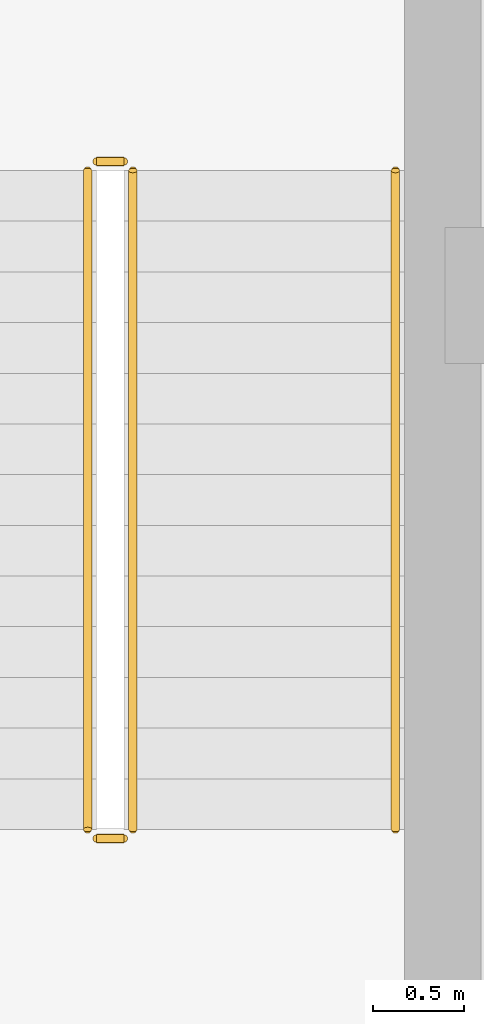
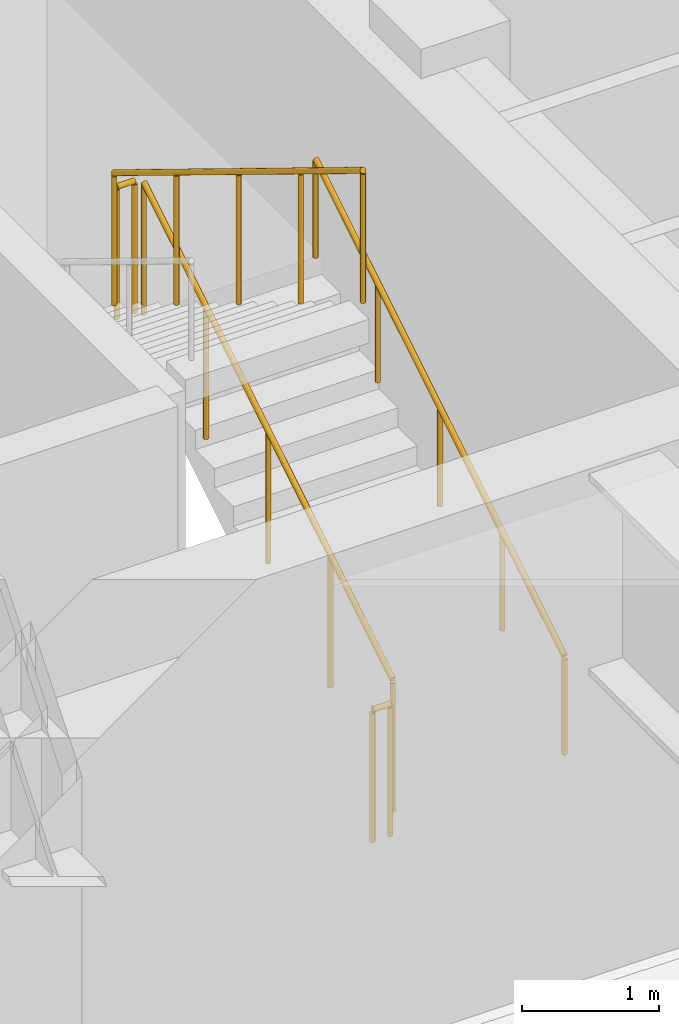
# One storey, part 28 of 31: 5 railings.
"""IFC4 building model written with IfcOpenShell, lengths in metres."""

import ifcopenshell
import ifcopenshell.guid

model = None  # the IFC model being written
_history = None  # IfcOwnerHistory: only IFC2X3 demands one
_inside = {}  # id of a spatial element -> (the spatial element, [elements in it])
_under = {}  # id of a project, library or spatial element -> (it, [spatial elements below it])
_declared = {}  # id of a project -> (the project, [libraries it declares])
_typed = {}  # id of a type object -> (the type object, [elements of that type])
_made_of = {}  # id of a material, layer set ... -> (it, [elements and type objects made of it])


def new_model(schema):
    """Start an empty IFC model of exactly this schema.

    Asked for "IFC4X3", IfcOpenShell would pick the latest addendum, in which some entities
    have other attributes; the version numbers below select the first issue.
    IFC2X3 requires an IfcOwnerHistory on every rooted entity: one is made here for all.
    """
    global model, _history
    if schema == "IFC4X3":
        model = ifcopenshell.file(schema_version=(4, 3, 0, 0))
    else:
        model = ifcopenshell.file(schema=schema)
    _inside.clear()
    _under.clear()
    _declared.clear()
    _typed.clear()
    _made_of.clear()
    _history = None
    if model.schema == "IFC2X3":
        org = make("IfcOrganization", Name="unknown")
        user = make(
            "IfcPersonAndOrganization",
            ThePerson=make("IfcPerson", FamilyName="unknown"),
            TheOrganization=org,
        )
        app = make(
            "IfcApplication",
            ApplicationDeveloper=org,
            Version="unknown",
            ApplicationFullName="unknown",
            ApplicationIdentifier="unknown",
        )
        _history = make(
            "IfcOwnerHistory",
            OwningUser=user,
            OwningApplication=app,
            ChangeAction="ADDED",
            CreationDate=0,
        )
    return model


def make(cls, **values):
    """One entity of the class cls with the attributes given. An attribute that is None is left unset."""
    return model.create_entity(
        cls, **{name: value for name, value in values.items() if value is not None}
    )


def rooted(cls, **values):
    """An entity with a GlobalId (a new one), such as an element, a storey or a relation."""
    return make(cls, GlobalId=ifcopenshell.guid.new(), OwnerHistory=_history, **values)


def si_unit(unit_type, name, prefix=None):
    """IfcSIUnit, for example si_unit("LENGTHUNIT", "METRE", prefix="MILLI")."""
    return make("IfcSIUnit", UnitType=unit_type, Prefix=prefix, Name=name)


def assignment(units):
    """IfcUnitAssignment: the units of a project."""
    return None if units is None else make("IfcUnitAssignment", Units=units)


def point(xyz):
    """IfcCartesianPoint."""
    return None if xyz is None else make("IfcCartesianPoint", Coordinates=xyz)


def direction(xyz):
    """IfcDirection."""
    return None if xyz is None else make("IfcDirection", DirectionRatios=xyz)


def frame(location, z_axis=None, x_axis=None):
    """IfcAxis2Placement3D, a coordinate frame: its origin and axes. An axis left out is left unset."""
    return make(
        "IfcAxis2Placement3D",
        Location=point(location),
        Axis=direction(z_axis),
        RefDirection=direction(x_axis),
    )


def frame_2d(location, x_axis=None):
    """IfcAxis2Placement2D, a coordinate frame in the plane: its origin and x axis."""
    return make(
        "IfcAxis2Placement2D", Location=point(location), RefDirection=direction(x_axis)
    )


def origin():
    """The frame at (0, 0, 0) with its axes left unset."""
    return frame((0.0, 0.0, 0.0))


def origin_2d():
    """The frame at (0, 0) in the plane with its x axis left unset."""
    return frame_2d((0.0, 0.0))


def place(relative_to, where):
    """IfcLocalPlacement: puts the frame where relative to a parent placement (None: the world)."""
    return make(
        "IfcLocalPlacement", PlacementRelTo=relative_to, RelativePlacement=where
    )


def context(
    kind, dimensions, precision=None, world=None, true_north=None, identifier=None
):
    """IfcGeometricRepresentationContext, for example the 3D "Model" context."""
    return make(
        "IfcGeometricRepresentationContext",
        ContextIdentifier=identifier,
        ContextType=kind,
        CoordinateSpaceDimension=dimensions,
        Precision=precision,
        WorldCoordinateSystem=world,
        TrueNorth=true_north,
    )


def subcontext(parent, identifier, kind, view, scale=None):
    """IfcGeometricRepresentationSubContext, for example "Body" below "Model"."""
    return make(
        "IfcGeometricRepresentationSubContext",
        ContextIdentifier=identifier,
        ContextType=kind,
        ParentContext=parent,
        TargetScale=scale,
        TargetView=view,
    )


def project(units=None, contexts=None):
    """IfcProject with its units and contexts."""
    return rooted(
        "IfcProject",
        Name="project",
        RepresentationContexts=contexts,
        UnitsInContext=assignment(units),
    )


def spatial(cls, under=None, at=None, **own):
    """A site, building, storey or space (cls), placed at a placement, below another one or the project."""
    s = rooted(cls, ObjectPlacement=at, **own)
    if under is not None:
        _under.setdefault(under.id(), (under, []))[1].append(s)
    return s


def profile(cls, at=None, kind="AREA", **sizes):
    """A parametric profile (cls). Its sizes go by their IFC names, for example OverallWidth=200.0."""
    return make(cls, ProfileType=kind, Position=at, **sizes)


def circle(**sizes):
    """IfcCircleProfileDef."""
    return profile("IfcCircleProfileDef", **sizes)


def extrude(swept, where, along, depth):
    """IfcExtrudedAreaSolid: the profile swept, set in the frame where, extruded along a direction by depth."""
    return make(
        "IfcExtrudedAreaSolid",
        SweptArea=swept,
        Position=where,
        ExtrudedDirection=direction(along),
        Depth=depth,
    )


def shape(context_of_items, identifier, shape_type, items):
    """IfcShapeRepresentation: the items that make up one representation, for example the "Body"."""
    return make(
        "IfcShapeRepresentation",
        ContextOfItems=context_of_items,
        RepresentationIdentifier=identifier,
        RepresentationType=shape_type,
        Items=items,
    )


def source(mapping_origin, context_of_items, identifier, shape_type, items):
    """IfcRepresentationMap: a shape defined once, which mapped items show again and again."""
    return make(
        "IfcRepresentationMap",
        MappingOrigin=mapping_origin,
        MappedRepresentation=shape(context_of_items, identifier, shape_type, items),
    )


def transform(
    local_origin,
    x_axis=None,
    y_axis=None,
    z_axis=None,
    scale=None,
    scale2=None,
    scale3=None,
    uniform=True,
):
    """IfcCartesianTransformationOperator3D, or its non-uniform kind. x_axis, y_axis, z_axis: its Axis1, 2, 3."""
    if uniform:
        return make(
            "IfcCartesianTransformationOperator3D",
            Axis1=direction(x_axis),
            Axis2=direction(y_axis),
            LocalOrigin=point(local_origin),
            Scale=scale,
            Axis3=direction(z_axis),
        )
    return make(
        "IfcCartesianTransformationOperator3DnonUniform",
        Axis1=direction(x_axis),
        Axis2=direction(y_axis),
        LocalOrigin=point(local_origin),
        Scale=scale,
        Axis3=direction(z_axis),
        Scale2=scale2,
        Scale3=scale3,
    )


def mapped(mapping_source, mapping_target):
    """IfcMappedItem: shows the shape of a source again, moved by a transform."""
    return make(
        "IfcMappedItem", MappingSource=mapping_source, MappingTarget=mapping_target
    )


def material(Name=None, Category=None):
    """IfcMaterial."""
    return make("IfcMaterial", Name=Name, Category=Category)


def made_of(thing, what):
    """Note that an element or type object is made of a material, layer set ...; save() writes the relation."""
    if what is not None:
        _made_of.setdefault(what.id(), (what, []))[1].append(thing)
    return thing


def type_object(cls, material=None, **own):
    """A type object (cls), such as IfcWallType, which elements share."""
    return made_of(rooted(cls, **own), material)


def element(
    cls,
    number,
    at=None,
    inside=None,
    cuts=None,
    type_object=None,
    material=None,
    context=None,
    identifier="Body",
    shape_type=None,
    held_by="IfcProductDefinitionShape",
    body=None,
    shapes=None,
    **own,
):
    """One element of the class cls, such as IfcWall. Its Tag is "e" and its number.

    at: its placement. inside: the storey or other place that contains it. cuts: it is an
    opening in that element (IfcRelVoidsElement). A single representation is given by context,
    identifier, shape_type and body (its items); several are given by shapes. held_by: the class
    of the entity that holds the representations. save() writes the other relations.
    """
    e = rooted(cls, Tag="e%d" % number, ObjectPlacement=at, **own)
    if body is not None:
        shapes = [shape(context, identifier, shape_type, body)]
    if shapes is not None:
        e.Representation = make(held_by, Representations=shapes)
    if inside is not None:
        _inside.setdefault(inside.id(), (inside, []))[1].append(e)
    if cuts is not None:
        rooted(
            "IfcRelVoidsElement", RelatingBuildingElement=cuts, RelatedOpeningElement=e
        )
    if type_object is not None:
        _typed.setdefault(type_object.id(), (type_object, []))[1].append(e)
    return made_of(e, material)


def aggregate(whole, parts):
    """IfcRelAggregates: a whole, such as a stair, and the parts it consists of."""
    return rooted("IfcRelAggregates", RelatingObject=whole, RelatedObjects=parts)


def save(model, path):
    """Write the relations noted so far, then the file.

    IfcRelAggregates (storeys below a building ...), IfcRelContainedInSpatialStructure (elements
    in a storey), IfcRelDefinesByType, IfcRelAssociatesMaterial and IfcRelDeclares: one each for
    every whole, place, type object, material and project.
    """
    for whole, parts in _under.values():
        aggregate(whole, parts)
    for where, things in _inside.values():
        rooted(
            "IfcRelContainedInSpatialStructure",
            RelatedElements=things,
            RelatingStructure=where,
        )
    for kind, things in _typed.values():
        rooted("IfcRelDefinesByType", RelatedObjects=things, RelatingType=kind)
    for what, things in _made_of.values():
        rooted("IfcRelAssociatesMaterial", RelatedObjects=things, RelatingMaterial=what)
    for by, libraries in _declared.values():
        rooted("IfcRelDeclares", RelatingContext=by, RelatedDefinitions=libraries)
    model.write(path)


model = new_model("IFC4")

# Units and contexts
model_context = context("Model", 3, precision=1e-05, world=origin(), true_north=direction((0.0, 1.0)))
body_context = subcontext(model_context, "Body", "Model", "MODEL_VIEW")
ifc_project = project(units=[si_unit("LENGTHUNIT", "METRE"), si_unit("AREAUNIT", "SQUARE_METRE"), si_unit("VOLUMEUNIT", "CUBIC_METRE"), si_unit("PLANEANGLEUNIT", "RADIAN"), si_unit("MASSUNIT", "GRAM", prefix="KILO")], contexts=[model_context])

# Site, building, storey
site_placement = place(None, origin())
site = spatial("IfcSite", under=ifc_project, at=site_placement, CompositionType="ELEMENT")
building_placement = place(site_placement, origin())
building = spatial("IfcBuilding", under=site, at=building_placement, Name="Khorayat Bourse Tower", CompositionType="ELEMENT")
storey_placement = place(building_placement, frame((0.0, 0.0, 321.5)))
storey = spatial("IfcBuildingStorey", under=building, at=storey_placement, Name="L76", CompositionType="ELEMENT", Elevation=321.5)

# Railings
ifc_material_1 = material(Name="Powder-coated steel balustrade", Category="steel")
railing_type_1 = type_object("IfcRailingType", Name="RLG-GUARD-1200", PredefinedType="GUARDRAIL", material=ifc_material_1)
shared_shape_1 = source(origin(), body_context, "Body", "SweptSolid", [
    extrude(circle(Radius=0.02392578125, at=origin_2d()), frame((0.0, 0.0, 1.17578125), z_axis=(0.0, 0.852850264322, 0.5221555579), x_axis=(-1.0, 0.0, 0.0)), (0.0, 0.0, 1.0), 4.267822265625),
    extrude(circle(Radius=0.02099609375, at=origin_2d()), origin(), (0.0, 0.0, 1.0), 1.15185546875),
    extrude(circle(Radius=0.02099609375, at=origin_2d()), frame((0.0, 0.909912109375, 0.55712890625)), (0.0, 0.0, 1.0), 1.15185546875),
    extrude(circle(Radius=0.02099609375, at=origin_2d()), frame((0.0, 1.81982421875, 1.1142578125)), (0.0, 0.0, 1.0), 1.15185546875),
    extrude(circle(Radius=0.02099609375, at=origin_2d()), frame((0.0, 2.72998046875, 1.67138671875)), (0.0, 0.0, 1.0), 1.15185546875),
    extrude(circle(Radius=0.02099609375, at=origin_2d()), frame((0.0, 3.639892578125, 2.228515625)), (0.0, 0.0, 1.0), 1.15185546875),
])
railing_1_placement = place(storey_placement, frame((-6.60009765625, -8.949951171875, 0.17138671875)))
element("IfcRailing", 1, at=railing_1_placement, inside=storey, type_object=railing_type_1, Name="L76 ST-1 stair guard 1", PredefinedType="GUARDRAIL", context=body_context, shape_type="MappedRepresentation", body=[
    mapped(shared_shape_1, transform((0.0, 0.0, 0.0), scale=1.0)),
])
shared_shape_2 = source(origin(), body_context, "Body", "SweptSolid", [
    extrude(circle(Radius=0.02392578125, at=origin_2d()), frame((0.0, 0.0, 1.17578125), z_axis=(-1.0, 0.0, 0.0), x_axis=(0.0, -1.0, 0.0)), (0.0, 0.0, 1.0), 0.150146484375),
    extrude(circle(Radius=0.02099609375, at=origin_2d()), origin(), (0.0, 0.0, 1.0), 1.15185546875),
    extrude(circle(Radius=0.02099609375, at=origin_2d()), frame((-0.150146484375, 0.0, 0.0)), (0.0, 0.0, 1.0), 1.15185546875),
])
for number, where, name in (
    (2, (-6.64990234375, -5.260009765625, 2.39990234375), "L76 ST-1 stair guard 2"),
    (3, (-6.64990234375, -9.0, 0.0), "L76 ST-1 stair guard 4"),
):
    element("IfcRailing", number, at=place(storey_placement, frame(where)), inside=storey, type_object=railing_type_1, Name=name, PredefinedType="GUARDRAIL", context=body_context, shape_type="MappedRepresentation", body=[
        mapped(shared_shape_2, transform((0.0, 0.0, 0.0), scale=1.0)),
    ])
shared_shape_3 = source(origin(), body_context, "Body", "SweptSolid", [
    extrude(circle(Radius=0.02392578125, at=origin_2d()), frame((0.0, 0.0, 1.17578125), z_axis=(0.0, -0.852850264322, 0.5221555579), x_axis=(1.0, 0.0, 0.0)), (0.0, 0.0, 1.0), 4.267822265625),
    extrude(circle(Radius=0.02099609375, at=origin_2d()), origin(), (0.0, 0.0, 1.0), 1.15185546875),
    extrude(circle(Radius=0.02099609375, at=origin_2d()), frame((0.0, -0.909912109375, 0.55712890625)), (0.0, 0.0, 1.0), 1.15185546875),
    extrude(circle(Radius=0.02099609375, at=origin_2d()), frame((0.0, -1.81982421875, 1.1142578125)), (0.0, 0.0, 1.0), 1.15185546875),
    extrude(circle(Radius=0.02099609375, at=origin_2d()), frame((0.0, -2.72998046875, 1.67138671875)), (0.0, 0.0, 1.0), 1.15185546875),
    extrude(circle(Radius=0.02099609375, at=origin_2d()), frame((0.0, -3.639892578125, 2.228515625)), (0.0, 0.0, 1.0), 1.15185546875),
])
railing_2_placement = place(storey_placement, frame((-6.85009765625, -5.31005859375, 2.571533203125)))
element("IfcRailing", 4, at=railing_2_placement, inside=storey, type_object=railing_type_1, Name="L76 ST-1 stair guard 3", PredefinedType="GUARDRAIL", context=body_context, shape_type="MappedRepresentation", body=[
    mapped(shared_shape_3, transform((0.0, 0.0, 0.0), scale=1.0)),
])
ifc_material_2 = material(Name="Brushed bronze stainless-steel handrail", Category="steel")
railing_type_2 = type_object("IfcRailingType", Name="RLG-HAND-900", PredefinedType="HANDRAIL", material=ifc_material_2)
shared_shape_4 = source(origin(), body_context, "Body", "SweptSolid", [
    extrude(circle(Radius=0.02392578125, at=origin_2d()), frame((0.0, 0.0, 0.8759765625), z_axis=(0.0, 0.852850264322, 0.5221555579), x_axis=(-1.0, 0.0, 0.0)), (0.0, 0.0, 1.0), 4.267822265625),
    extrude(circle(Radius=0.02099609375, at=origin_2d()), origin(), (0.0, 0.0, 1.0), 0.851806640625),
    extrude(circle(Radius=0.02099609375, at=origin_2d()), frame((0.0, 0.909912109375, 0.55712890625)), (0.0, 0.0, 1.0), 0.851806640625),
    extrude(circle(Radius=0.02099609375, at=origin_2d()), frame((0.0, 1.81982421875, 1.1142578125)), (0.0, 0.0, 1.0), 0.851806640625),
    extrude(circle(Radius=0.02099609375, at=origin_2d()), frame((0.0, 2.72998046875, 1.67138671875)), (0.0, 0.0, 1.0), 0.851806640625),
    extrude(circle(Radius=0.02099609375, at=origin_2d()), frame((0.0, 3.639892578125, 2.228515625)), (0.0, 0.0, 1.0), 0.851806640625),
])
railing_3_placement = place(storey_placement, frame((-5.14990234375, -8.949951171875, 0.17138671875)))
element("IfcRailing", 5, at=railing_3_placement, inside=storey, type_object=railing_type_2, Name="L76 ST-1 stair handrail 1", PredefinedType="HANDRAIL", context=body_context, shape_type="MappedRepresentation", body=[
    mapped(shared_shape_4, transform((0.0, 0.0, 0.0), scale=1.0)),
])

save(model, "model.ifc")
